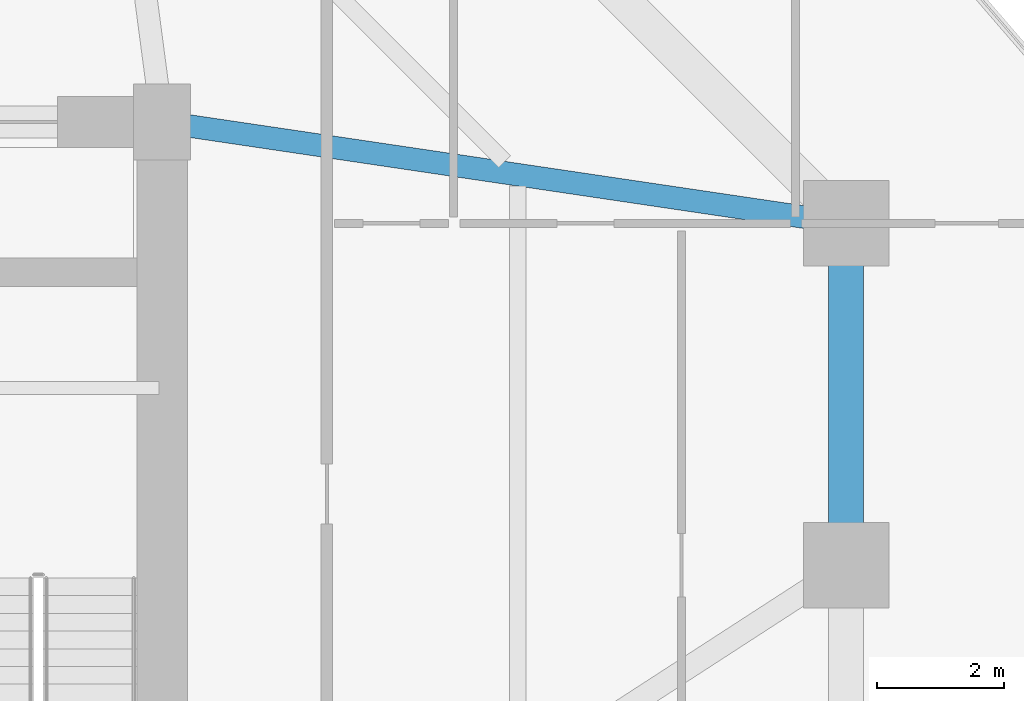
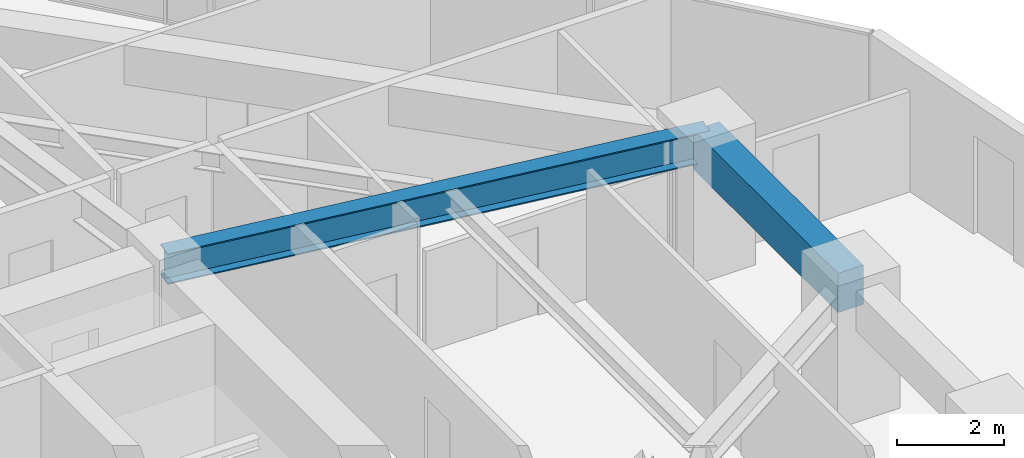
# One storey, part 19 of 38: 2 beams.
"""IFC4 building model written with IfcOpenShell, lengths in metres."""

from ifc_helpers import new_model, si_unit, direction, frame, origin, origin_2d, place, context, subcontext, project, spatial, rectangle, i_section, extrude, material, material_profile, profile_set, type_object, element, save


model = new_model("IFC4")

# Units and contexts
model_context = context("Model", 3, precision=1e-05, world=origin(), true_north=direction((0.0, 1.0)))
body_context = subcontext(model_context, "Body", "Model", "MODEL_VIEW")
ifc_project = project(units=[si_unit("LENGTHUNIT", "METRE"), si_unit("AREAUNIT", "SQUARE_METRE"), si_unit("VOLUMEUNIT", "CUBIC_METRE"), si_unit("PLANEANGLEUNIT", "RADIAN"), si_unit("MASSUNIT", "GRAM", prefix="KILO")], contexts=[model_context])

# Site, building, storey
site_placement = place(None, origin())
site = spatial("IfcSite", under=ifc_project, at=site_placement, CompositionType="ELEMENT")
building_placement = place(site_placement, origin())
building = spatial("IfcBuilding", under=site, at=building_placement, Name="Veraguas Prism Commons", CompositionType="ELEMENT")
storey_placement = place(building_placement, frame((0.0, 0.0, 60.85009765625)))
storey = spatial("IfcBuildingStorey", under=building, at=storey_placement, Name="L16", CompositionType="ELEMENT", Elevation=60.85009765625)

# Beams
ifc_material_1 = material(Name="Concrete C50/60", Category="concrete")
ifc_material_profile_1 = material_profile(ifc_material_1, rectangle(XDim=0.550048828125, YDim=0.89990234375, at=origin_2d()), Name="RC550X900")
ifc_profile_set_1 = profile_set([ifc_material_profile_1], Name="Concrete C50/60")
beam_type_1 = type_object("IfcBeamType", Name="Perimeter Spandrel Lower RC 550x900", PredefinedType="SPANDREL", material=ifc_profile_set_1)
beam_1_placement = place(storey_placement, frame((41.60009765625, 24.0, 2.5498046875), z_axis=(0.0, 1.0, 0.0), x_axis=(-1.0, 0.0, 0.0)))
element("IfcBeam", 1, at=beam_1_placement, inside=storey, type_object=beam_type_1, Name="Perimeter Spandrel Beam L16-SP02", PredefinedType="SPANDREL", context=body_context, shape_type="SweptSolid", body=[
    extrude(rectangle(XDim=0.550048828125, YDim=0.89990234375, at=origin_2d()), origin(), (0.0, 0.0, 1.0), 5.39990234375),
])
ifc_material_2 = material(Name="Steel ASTM A992 Grade 50", Category="steel")
ifc_material_profile_2 = material_profile(ifc_material_2, i_section(OverallWidth=0.35595703125, OverallDepth=0.700927734375, WebThickness=0.016845703125, FlangeThickness=0.02734375, at=origin_2d()), Name="W690X240")
ifc_profile_set_2 = profile_set([ifc_material_profile_2], Name="Steel ASTM A992 Grade 50")
beam_type_2 = type_object("IfcBeamType", Name="Zone 1 Radial Girder W690x240", PredefinedType="BEAM", material=ifc_profile_set_2)
beam_2_placement = place(storey_placement, frame((41.60009765625, 29.39990234375, 2.6494140625), z_axis=(-0.989202261707, 0.146556765224, 0.0), x_axis=(-0.146556765224, -0.989202261707, 0.0)))
element("IfcBeam", 2, at=beam_2_placement, inside=storey, type_object=beam_type_2, Name="Radial Floor Girder L16-RD03", PredefinedType="BEAM", context=body_context, shape_type="SweptSolid", body=[
    extrude(i_section(OverallWidth=0.35595703125, OverallDepth=0.700927734375, WebThickness=0.016845703125, FlangeThickness=0.02734375, at=origin_2d()), origin(), (0.0, 0.0, 1.0), 10.91796875),
])

save(model, "model.ifc")
